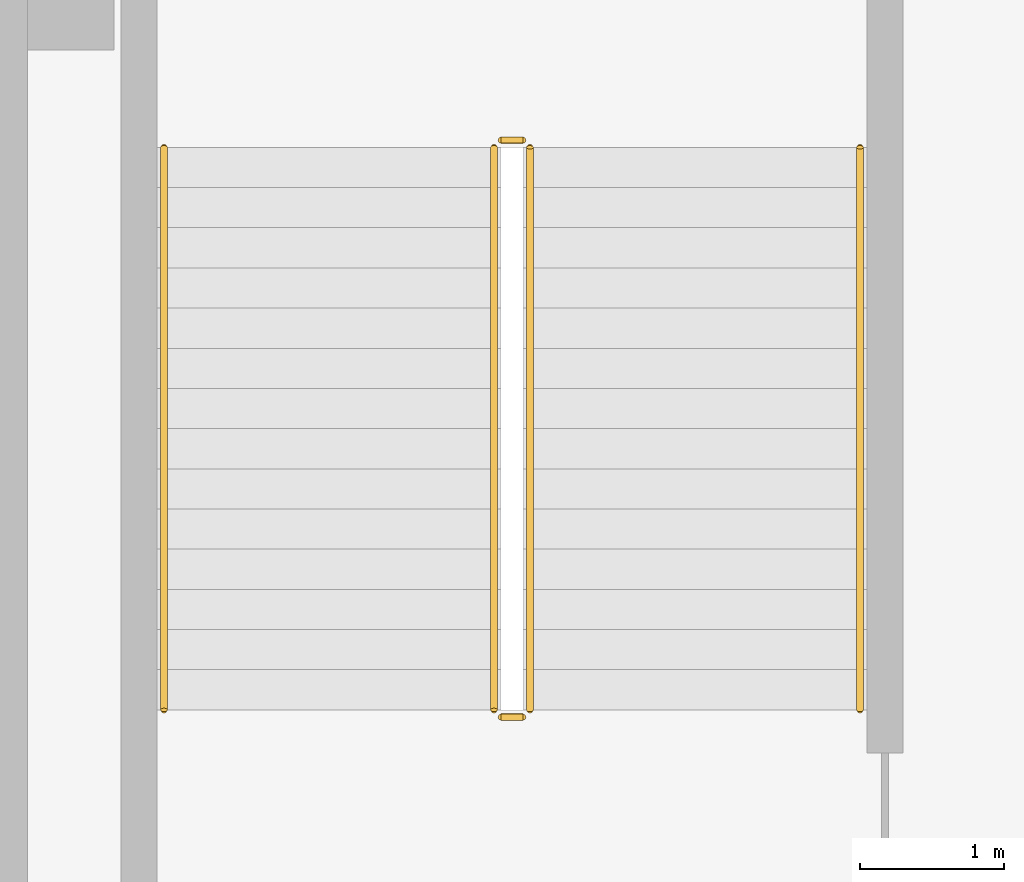
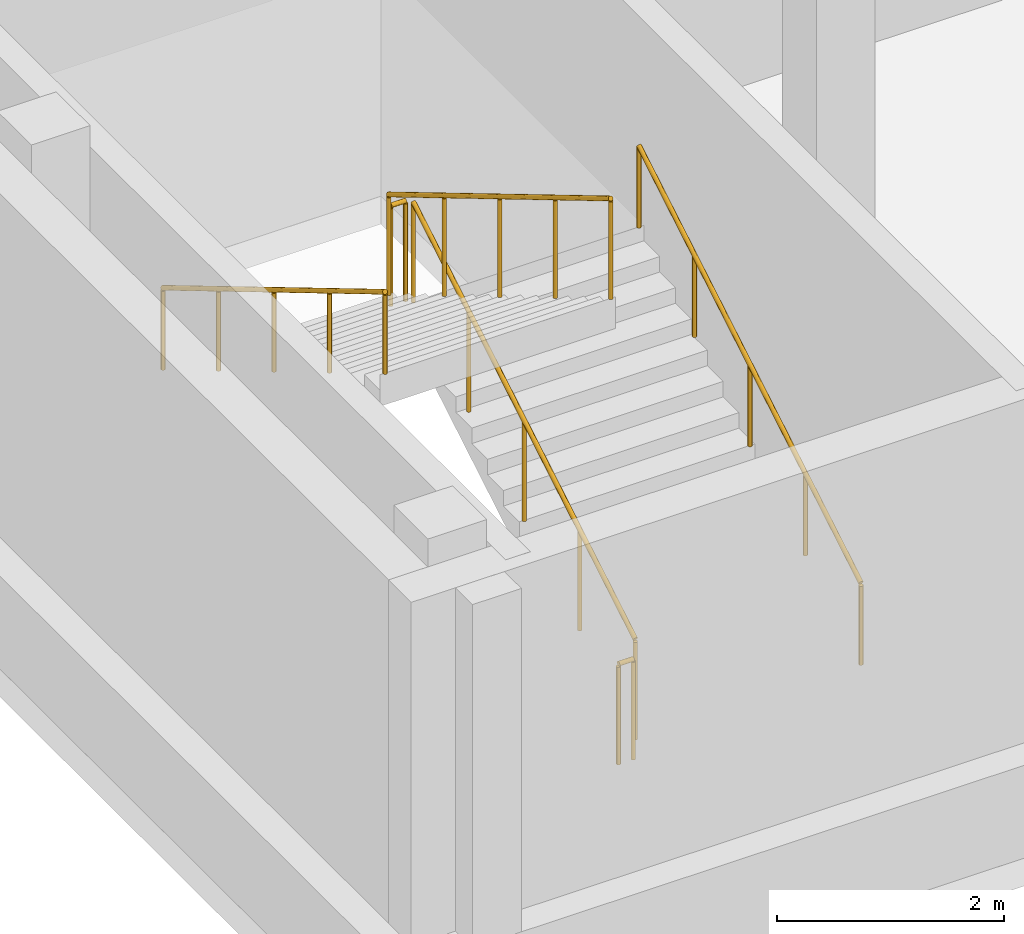
# One storey, part 27 of 32: 6 railings.
"""IFC4 building model written with IfcOpenShell, lengths in metres."""

from ifc_helpers import new_model, si_unit, direction, frame, origin, origin_2d, place, context, subcontext, project, spatial, circle, extrude, material, type_object, element, save


model = new_model("IFC4")

# Units and contexts
model_context = context("Model", 3, precision=1e-05, world=origin(), true_north=direction((0.0, 1.0)))
body_context = subcontext(model_context, "Body", "Model", "MODEL_VIEW")
ifc_project = project(units=[si_unit("LENGTHUNIT", "METRE"), si_unit("AREAUNIT", "SQUARE_METRE"), si_unit("VOLUMEUNIT", "CUBIC_METRE"), si_unit("PLANEANGLEUNIT", "RADIAN"), si_unit("MASSUNIT", "GRAM", prefix="KILO")], contexts=[model_context])

# Site, building, storey
site_placement = place(None, origin())
site = spatial("IfcSite", under=ifc_project, at=site_placement, CompositionType="ELEMENT")
building_placement = place(site_placement, origin())
building = spatial("IfcBuilding", under=site, at=building_placement, Name="Tamorin Gate", CompositionType="ELEMENT")
storey_placement = place(building_placement, frame((0.0, 0.0, 13.5)))
storey = spatial("IfcBuildingStorey", under=building, at=storey_placement, Name="L02", CompositionType="ELEMENT", Elevation=13.5)

# Railings
ifc_material = material(Name="Steel, galvanised", Category="steel")
railing_type_1 = type_object("IfcRailingType", Name="Steel guard 1100 museum", PredefinedType="GUARDRAIL", material=ifc_material)
railing_1_placement = place(storey_placement, frame((148.89990234375, 57.800048828125, 0.166748046875)))
element("IfcRailing", 1, at=railing_1_placement, inside=storey, type_object=railing_type_1, Name="L02 PS8 stair guard 1", PredefinedType="GUARDRAIL", context=body_context, shape_type="SweptSolid", body=[
    extrude(circle(Radius=0.02392578125, at=origin_2d()), frame((0.0, 0.0, 1.076171875), z_axis=(0.0, 0.859296244711, 0.511478214419), x_axis=(-1.0, 0.0, 0.0)), (0.0, 0.0, 1.0), 4.561767578125),
    extrude(circle(Radius=0.02099609375, at=origin_2d()), origin(), (0.0, 0.0, 1.0), 1.052001953125),
    extrude(circle(Radius=0.02099609375, at=origin_2d()), frame((0.0, 0.97998046875, 0.583251953125)), (0.0, 0.0, 1.0), 1.052001953125),
    extrude(circle(Radius=0.02099609375, at=origin_2d()), frame((0.0, 1.9599609375, 1.16650390625)), (0.0, 0.0, 1.0), 1.052001953125),
    extrude(circle(Radius=0.02099609375, at=origin_2d()), frame((0.0, 2.93994140625, 1.75)), (0.0, 0.0, 1.0), 1.052001953125),
    extrude(circle(Radius=0.02099609375, at=origin_2d()), frame((0.0, 3.919921875, 2.333251953125)), (0.0, 0.0, 1.0), 1.052001953125),
])
railing_2_placement = place(storey_placement, frame((148.85009765625, 61.77001953125, 2.5)))
element("IfcRailing", 2, at=railing_2_placement, inside=storey, type_object=railing_type_1, Name="L02 PS8 stair guard 2", PredefinedType="GUARDRAIL", context=body_context, shape_type="SweptSolid", body=[
    extrude(circle(Radius=0.02392578125, at=origin_2d()), frame((0.0, 0.0, 1.076171875), z_axis=(-1.0, 0.0, 0.0), x_axis=(0.0, -1.0, 0.0)), (0.0, 0.0, 1.0), 0.150146484375),
    extrude(circle(Radius=0.02099609375, at=origin_2d()), origin(), (0.0, 0.0, 1.0), 1.052001953125),
    extrude(circle(Radius=0.02099609375, at=origin_2d()), frame((-0.150146484375, 0.0, 0.0)), (0.0, 0.0, 1.0), 1.052001953125),
])
railing_3_placement = place(storey_placement, frame((148.64990234375, 61.719970703125, 2.666748046875)))
element("IfcRailing", 3, at=railing_3_placement, inside=storey, type_object=railing_type_1, Name="L02 PS8 stair guard 3", PredefinedType="GUARDRAIL", context=body_context, shape_type="SweptSolid", body=[
    extrude(circle(Radius=0.02392578125, at=origin_2d()), frame((0.0, 0.0, 1.076171875), z_axis=(0.0, -0.859296244711, 0.511478214419), x_axis=(1.0, 0.0, 0.0)), (0.0, 0.0, 1.0), 4.561767578125),
    extrude(circle(Radius=0.02099609375, at=origin_2d()), origin(), (0.0, 0.0, 1.0), 1.052001953125),
    extrude(circle(Radius=0.02099609375, at=origin_2d()), frame((0.0, -0.97998046875, 0.583251953125)), (0.0, 0.0, 1.0), 1.052001953125),
    extrude(circle(Radius=0.02099609375, at=origin_2d()), frame((0.0, -1.9599609375, 1.16650390625)), (0.0, 0.0, 1.0), 1.052001953125),
    extrude(circle(Radius=0.02099609375, at=origin_2d()), frame((0.0, -2.93994140625, 1.75)), (0.0, 0.0, 1.0), 1.052001953125),
    extrude(circle(Radius=0.02099609375, at=origin_2d()), frame((0.0, -3.919921875, 2.333251953125)), (0.0, 0.0, 1.0), 1.052001953125),
])
railing_4_placement = place(storey_placement, frame((148.85009765625, 57.75, 0.0)))
element("IfcRailing", 4, at=railing_4_placement, inside=storey, type_object=railing_type_1, Name="L02 PS8 stair guard 4", PredefinedType="GUARDRAIL", context=body_context, shape_type="SweptSolid", body=[
    extrude(circle(Radius=0.02392578125, at=origin_2d()), frame((0.0, 0.0, 1.076171875), z_axis=(-1.0, 0.0, 0.0), x_axis=(0.0, -1.0, 0.0)), (0.0, 0.0, 1.0), 0.150146484375),
    extrude(circle(Radius=0.02099609375, at=origin_2d()), origin(), (0.0, 0.0, 1.0), 1.052001953125),
    extrude(circle(Radius=0.02099609375, at=origin_2d()), frame((-0.150146484375, 0.0, 0.0)), (0.0, 0.0, 1.0), 1.052001953125),
])
railing_type_2 = type_object("IfcRailingType", Name="Steel handrail 900 museum", PredefinedType="HANDRAIL", material=ifc_material)
railing_5_placement = place(storey_placement, frame((151.199951171875, 57.800048828125, 0.166748046875)))
element("IfcRailing", 5, at=railing_5_placement, inside=storey, type_object=railing_type_2, Name="L02 PS8 stair handrail 1", PredefinedType="HANDRAIL", context=body_context, shape_type="SweptSolid", body=[
    extrude(circle(Radius=0.02392578125, at=origin_2d()), frame((0.0, 0.0, 0.8759765625), z_axis=(0.0, 0.859296244711, 0.511478214419), x_axis=(-1.0, 0.0, 0.0)), (0.0, 0.0, 1.0), 4.561767578125),
    extrude(circle(Radius=0.02099609375, at=origin_2d()), origin(), (0.0, 0.0, 1.0), 0.851806640625),
    extrude(circle(Radius=0.02099609375, at=origin_2d()), frame((0.0, 0.97998046875, 0.583251953125)), (0.0, 0.0, 1.0), 0.851806640625),
    extrude(circle(Radius=0.02099609375, at=origin_2d()), frame((0.0, 1.9599609375, 1.16650390625)), (0.0, 0.0, 1.0), 0.851806640625),
    extrude(circle(Radius=0.02099609375, at=origin_2d()), frame((0.0, 2.93994140625, 1.75)), (0.0, 0.0, 1.0), 0.851806640625),
    extrude(circle(Radius=0.02099609375, at=origin_2d()), frame((0.0, 3.919921875, 2.333251953125)), (0.0, 0.0, 1.0), 0.851806640625),
])
railing_6_placement = place(storey_placement, frame((146.35009765625, 61.719970703125, 2.666748046875)))
element("IfcRailing", 6, at=railing_6_placement, inside=storey, type_object=railing_type_2, Name="L02 PS8 stair handrail 2", PredefinedType="HANDRAIL", context=body_context, shape_type="SweptSolid", body=[
    extrude(circle(Radius=0.02392578125, at=origin_2d()), frame((0.0, 0.0, 0.8759765625), z_axis=(0.0, -0.859296244711, 0.511478214419), x_axis=(1.0, 0.0, 0.0)), (0.0, 0.0, 1.0), 4.561767578125),
    extrude(circle(Radius=0.02099609375, at=origin_2d()), origin(), (0.0, 0.0, 1.0), 0.851806640625),
    extrude(circle(Radius=0.02099609375, at=origin_2d()), frame((0.0, -0.97998046875, 0.583251953125)), (0.0, 0.0, 1.0), 0.851806640625),
    extrude(circle(Radius=0.02099609375, at=origin_2d()), frame((0.0, -1.9599609375, 1.16650390625)), (0.0, 0.0, 1.0), 0.851806640625),
    extrude(circle(Radius=0.02099609375, at=origin_2d()), frame((0.0, -2.93994140625, 1.75)), (0.0, 0.0, 1.0), 0.851806640625),
    extrude(circle(Radius=0.02099609375, at=origin_2d()), frame((0.0, -3.919921875, 2.333251953125)), (0.0, 0.0, 1.0), 0.851806640625),
])

save(model, "model.ifc")
